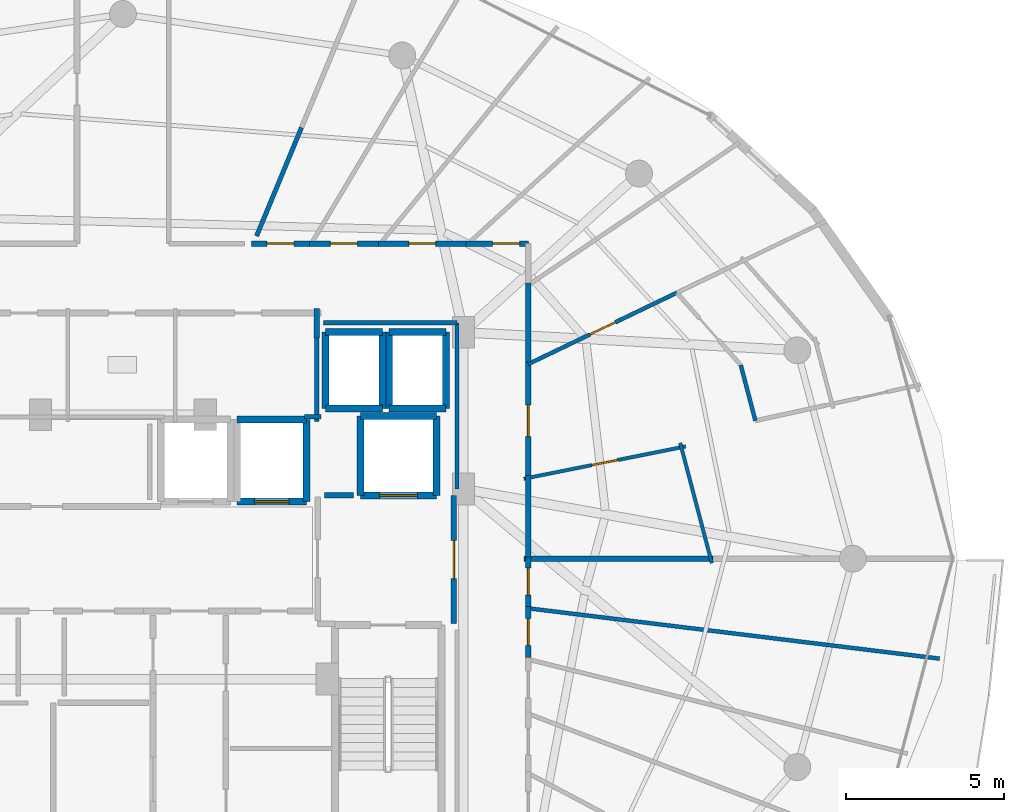
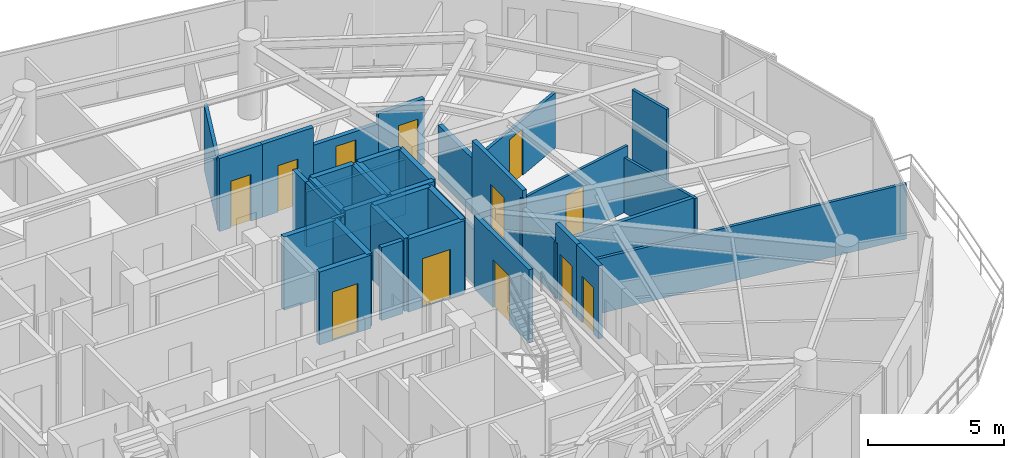
# One storey, part 24 of 29: 38 walls, 12 doors, 12 openings.
"""IFC4 building model written with IfcOpenShell, lengths in metres."""

from ifc_helpers import new_model, si_unit, direction, frame, frame_2d, origin, place, context, subcontext, project, spatial, rectangle, extrude, material, layer, layer_set, type_object, element, fill, save


model = new_model("IFC4")

# Units and contexts
model_context = context("Model", 3, precision=1e-05, world=origin(), true_north=direction((0.0, 1.0)))
body_context = subcontext(model_context, "Body", "Model", "MODEL_VIEW")
ifc_project = project(units=[si_unit("LENGTHUNIT", "METRE"), si_unit("AREAUNIT", "SQUARE_METRE"), si_unit("VOLUMEUNIT", "CUBIC_METRE"), si_unit("PLANEANGLEUNIT", "RADIAN"), si_unit("MASSUNIT", "GRAM", prefix="KILO")], contexts=[model_context])

# Site, building, storey
site_placement = place(None, origin())
site = spatial("IfcSite", under=ifc_project, at=site_placement, CompositionType="ELEMENT")
building_placement = place(site_placement, origin())
building = spatial("IfcBuilding", under=site, at=building_placement, Name="Vorneva Point Tower", CompositionType="ELEMENT")
storey_placement = place(building_placement, frame((0.0, 0.0, 255.550048828125)))
storey = spatial("IfcBuildingStorey", under=building, at=storey_placement, Name="L69", CompositionType="ELEMENT", Elevation=255.550048828125)

# Wall, opening, door
ifc_material_1 = material(Name="Concrete B60 (C50/60)", Category="concrete")
ifc_layer_1 = layer(ifc_material_1, 0.35009765625)
ifc_layer_set_1 = layer_set([ifc_layer_1], Name="Concrete B60 (C50/60)")
wall_type_1 = type_object("IfcWallType", Name="WL-CORE-350", PredefinedType="SHEAR", material=ifc_layer_set_1)
wall_1_placement = place(storey_placement, frame((45.5, 28.0, 0.0), z_axis=(0.0, 0.0, 1.0), x_axis=(1.0, 0.0, 0.0)))
wall_1 = element("IfcWall", 1, at=wall_1_placement, inside=storey, type_object=wall_type_1, Name="L69 Lift FFL2 Shaft Wall -Y", PredefinedType="SHEAR", context=body_context, shape_type="SweptSolid", body=[
    extrude(rectangle(XDim=2.39990234375, YDim=0.219970703125, at=frame_2d((1.199951171875, 0.0))), origin(), (0.0, 0.0, 1.0), 3.2900390625),
])
opening_1_placement = place(wall_1_placement, frame((0.60009765625, 0.0, 0.0)))
opening_1 = element("IfcOpeningElement", 2, at=opening_1_placement, cuts=wall_1, Name="Opening LD-02", PredefinedType="OPENING", context=body_context, shape_type="SweptSolid", body=[
    extrude(rectangle(XDim=1.199951171875, YDim=2.199951171875, at=frame_2d((0.60009765625, 1.10009765625))), frame((0.0, 0.125, 0.0), z_axis=(0.0, -1.0, 0.0), x_axis=(1.0, 0.0, 0.0)), (0.0, 0.0, 1.0), 0.249755859375),
])
ifc_material_2 = material(Name="Brushed stainless steel S304", Category="steel")
door_type_1 = type_object("IfcDoorType", Name="LD-FIRE-1200", OperationType="SLIDING_TO_LEFT", PredefinedType="DOOR", material=ifc_material_2)
door_1_placement = place(opening_1_placement, origin())
door_1 = element("IfcDoor", 3, at=door_1_placement, inside=storey, type_object=door_type_1, Name="L69 Lift FFL2 Sliding Landing Door", OperationType="SLIDING_TO_LEFT", OverallHeight=2.199951171875, OverallWidth=1.199951171875, PredefinedType="DOOR", context=body_context, shape_type="SweptSolid", body=[
    extrude(rectangle(XDim=1.199951171875, YDim=2.199951171875, at=frame_2d((0.60009765625, 1.10009765625))), frame((0.0, 0.02490234375, 0.0), z_axis=(0.0, -1.0, 0.0), x_axis=(1.0, 0.0, 0.0)), (0.0, 0.0, 1.0), 0.050048828125),
])
fill(opening_1, door_1)

# Walls
wall_2_placement = place(storey_placement, frame((47.89990234375, 28.0, 0.0), z_axis=(0.0, 0.0, 1.0), x_axis=(0.0, 1.0, 0.0)))
element("IfcWall", 4, at=wall_2_placement, inside=storey, type_object=wall_type_1, Name="L69 Lift FFL2 Shaft Wall +X", PredefinedType="SHEAR", context=body_context, shape_type="SweptSolid", body=[
    extrude(rectangle(XDim=2.5, YDim=0.219970703125, at=frame_2d((1.25, 0.0))), origin(), (0.0, 0.0, 1.0), 3.2900390625),
])
wall_3_placement = place(storey_placement, frame((47.89990234375, 30.5, 0.0), z_axis=(0.0, 0.0, 1.0), x_axis=(-1.0, 0.0, 0.0)))
element("IfcWall", 5, at=wall_3_placement, inside=storey, type_object=wall_type_1, Name="L69 Lift FFL2 Shaft Wall +Y", PredefinedType="SHEAR", context=body_context, shape_type="SweptSolid", body=[
    extrude(rectangle(XDim=2.39990234375, YDim=0.219970703125, at=frame_2d((1.199951171875, 0.0))), origin(), (0.0, 0.0, 1.0), 3.2900390625),
])
wall_4_placement = place(storey_placement, frame((45.5, 30.5, 0.0), z_axis=(0.0, 0.0, 1.0), x_axis=(0.0, -1.0, 0.0)))
element("IfcWall", 6, at=wall_4_placement, inside=storey, type_object=wall_type_1, Name="L69 Lift FFL2 Shaft Wall -X", PredefinedType="SHEAR", context=body_context, shape_type="SweptSolid", body=[
    extrude(rectangle(XDim=2.5, YDim=0.219970703125, at=frame_2d((1.25, 0.0))), origin(), (0.0, 0.0, 1.0), 3.2900390625),
])

# Wall, opening, door
ifc_material_3 = material(Name="Fire-rated acoustic gypsum stud partition", Category="gypsum")
ifc_layer_2 = layer(ifc_material_3, 0.110107421875)
ifc_layer_set_2 = layer_set([ifc_layer_2], Name="Fire-rated acoustic gypsum stud partition")
wall_type_2 = type_object("IfcWallType", Name="WL-PART-110", PredefinedType="PARTITIONING", material=ifc_layer_set_2)
wall_5_placement = place(storey_placement, frame((50.66259765625, 28.526611328125, 0.0), z_axis=(0.0, 0.0, 1.0), x_axis=(0.980652709614, 0.195755620935, 0.0)))
wall_5 = element("IfcWall", 7, at=wall_5_placement, inside=storey, type_object=wall_type_2, Name="L69 Interior Partition 126", PredefinedType="PARTITIONING", context=body_context, shape_type="SweptSolid", body=[
    extrude(rectangle(XDim=5.20947265625, YDim=0.110107421875, at=frame_2d((2.604736328125, 0.0))), origin(), (0.0, 0.0, 1.0), 2.93603515625),
])
opening_2_placement = place(wall_5_placement, frame((2.1796875, 0.0, 0.0)))
opening_2 = element("IfcOpeningElement", 8, at=opening_2_placement, cuts=wall_5, Name="Opening ID-02", PredefinedType="OPENING", context=body_context, shape_type="SweptSolid", body=[
    extrude(rectangle(XDim=0.85009765625, YDim=2.10009765625, at=frame_2d((0.425048828125, 1.050048828125))), frame((0.0, 0.06982421875, 0.0), z_axis=(0.0, -1.0, 0.0), x_axis=(1.0, 0.0, 0.0)), (0.0, 0.0, 1.0), 0.139892578125),
])
ifc_material_4 = material(Name="Engineered oak fire-rated door leaf", Category="wood")
door_type_2 = type_object("IfcDoorType", Name="DR-BATH-850", OperationType="NOTDEFINED", PredefinedType="DOOR", material=ifc_material_4)
door_2_placement = place(opening_2_placement, origin())
door_2 = element("IfcDoor", 9, at=door_2_placement, inside=storey, type_object=door_type_2, Name="L69 Door Living and Dining Room L69-04 / Bathroom L69-04", OperationType="SINGLE_SWING_LEFT", OverallHeight=2.10009765625, OverallWidth=0.85009765625, PredefinedType="DOOR", context=body_context, shape_type="SweptSolid", body=[
    extrude(rectangle(XDim=0.85009765625, YDim=2.10009765625, at=frame_2d((0.425048828125, 1.050048828125))), frame((0.0, 0.02490234375, 0.0), z_axis=(0.0, -1.0, 0.0), x_axis=(1.0, 0.0, 0.0)), (0.0, 0.0, 1.0), 0.050048828125),
])
fill(opening_2, door_2)

# Walls
wall_6_placement = place(storey_placement, frame((55.598388671875, 29.654296875, 0.0), z_axis=(0.0, 0.0, 1.0), x_axis=(0.25449329928, -0.967074537263, 0.0)))
element("IfcWall", 10, at=wall_6_placement, inside=storey, type_object=wall_type_2, Name="L69 Interior Partition 127", PredefinedType="PARTITIONING", context=body_context, shape_type="SweptSolid", body=[
    extrude(rectangle(XDim=3.9189453125, YDim=0.110107421875, at=frame_2d((1.95947265625, 0.0))), origin(), (0.0, 0.0, 1.0), 2.48193359375),
])
ifc_layer_3 = layer(ifc_material_3, 0.125)
ifc_layer_set_3 = layer_set([ifc_layer_3], Name="Fire-rated acoustic gypsum stud partition")
wall_type_3 = type_object("IfcWallType", Name="WL-PART-125", PredefinedType="PARTITIONING", material=ifc_layer_set_3)
wall_7_placement = place(storey_placement, frame((63.7880859375, 22.844970703125, 0.0), z_axis=(0.0, 0.0, 1.0), x_axis=(-0.992598006299, 0.121446275738, 0.0)))
element("IfcWall", 11, at=wall_7_placement, inside=storey, type_object=wall_type_3, Name="L69 Interior Partition 123", PredefinedType="PARTITIONING", context=body_context, shape_type="SweptSolid", body=[
    extrude(rectangle(XDim=13.0849609375, YDim=0.125, at=frame_2d((6.54248046875, 0.0))), origin(), (0.0, 0.0, 1.0), 2.48193359375),
])
wall_8_placement = place(storey_placement, frame((57.972900390625, 30.35888671875, 0.0), z_axis=(0.0, 0.0, 1.0), x_axis=(-0.254274526126, 0.967132082687, 0.0)))
element("IfcWall", 12, at=wall_8_placement, inside=storey, type_object=wall_type_3, Name="L69 Interior Partition 131", PredefinedType="PARTITIONING", context=body_context, shape_type="SweptSolid", body=[
    extrude(rectangle(XDim=1.812744140625, YDim=0.125, at=frame_2d((0.90625, 0.0))), origin(), (0.0, 0.0, 1.0), 3.2900390625),
])

# Wall, opening, door
wall_9_placement = place(storey_placement, frame((55.49169921875, 34.3994140625, 0.0), z_axis=(0.0, 0.0, 1.0), x_axis=(-0.901416162018, -0.432953695968, 0.0)))
wall_9 = element("IfcWall", 13, at=wall_9_placement, inside=storey, type_object=wall_type_3, Name="L69 Interior Partition 135", PredefinedType="PARTITIONING", context=body_context, shape_type="SweptSolid", body=[
    extrude(rectangle(XDim=5.204833984375, YDim=0.125, at=frame_2d((2.6025390625, 0.0))), origin(), (0.0, 0.0, 1.0), 2.48193359375),
])
opening_3_placement = place(wall_9_placement, frame((2.15234375, 0.0, 0.0)))
opening_3 = element("IfcOpeningElement", 14, at=opening_3_placement, cuts=wall_9, Name="Opening ID-01", PredefinedType="OPENING", context=body_context, shape_type="SweptSolid", body=[
    extrude(rectangle(XDim=0.89990234375, YDim=2.10009765625, at=frame_2d((0.449951171875, 1.050048828125))), frame((0.0, 0.077392578125, 0.0), z_axis=(0.0, -1.0, 0.0), x_axis=(1.0, 0.0, 0.0)), (0.0, 0.0, 1.0), 0.15478515625),
])
door_type_3 = type_object("IfcDoorType", Name="DR-ROOM-900", OperationType="NOTDEFINED", PredefinedType="DOOR", material=ifc_material_4)
door_3_placement = place(opening_3_placement, origin())
door_3 = element("IfcDoor", 15, at=door_3_placement, inside=storey, type_object=door_type_3, Name="L69 Door Living and Dining Room L69-04 / Master Bedroom L69-04.1", OperationType="SINGLE_SWING_LEFT", OverallHeight=2.10009765625, OverallWidth=0.89990234375, PredefinedType="DOOR", context=body_context, shape_type="SweptSolid", body=[
    extrude(rectangle(XDim=0.89990234375, YDim=2.10009765625, at=frame_2d((0.449951171875, 1.050048828125))), frame((0.0, 0.02490234375, 0.0), z_axis=(0.0, -1.0, 0.0), x_axis=(1.0, 0.0, 0.0)), (0.0, 0.0, 1.0), 0.050048828125),
])
fill(opening_3, door_3)

# Walls
ifc_layer_4 = layer(ifc_material_3, 0.139892578125)
ifc_layer_set_4 = layer_set([ifc_layer_4], Name="Fire-rated acoustic gypsum stud partition")
wall_type_4 = type_object("IfcWallType", Name="WL-PART-140", PredefinedType="PARTITIONING", material=ifc_layer_set_4)
wall_10_placement = place(storey_placement, frame((43.735107421875, 30.47998046875, 0.0), z_axis=(0.0, 0.0, 1.0), x_axis=(1.0, 0.0, 0.0)))
element("IfcWall", 16, at=wall_10_placement, inside=storey, type_object=wall_type_4, Name="L69 Interior Closure Partition 146", PredefinedType="PARTITIONING", context=body_context, shape_type="SweptSolid", body=[
    extrude(rectangle(XDim=0.52490234375, YDim=0.139892578125, at=frame_2d((0.262451171875, 0.0))), origin(), (0.0, 0.0, 1.0), 3.2900390625),
])
wall_11_placement = place(storey_placement, frame((44.1201171875, 30.340087890625, 0.0), z_axis=(0.0, 0.0, 1.0), x_axis=(0.0, 1.0, 0.0)))
element("IfcWall", 17, at=wall_11_placement, inside=storey, type_object=wall_type_4, Name="L69 Interior Closure Partition 147", PredefinedType="PARTITIONING", context=body_context, shape_type="SweptSolid", body=[
    extrude(rectangle(XDim=2.659912109375, YDim=0.139892578125, at=frame_2d((1.330078125, 0.0))), origin(), (0.0, 0.0, 1.0), 3.2900390625),
])
wall_12_placement = place(storey_placement, frame((48.550048828125, 28.196044921875, 0.0), z_axis=(0.0, 0.0, 1.0), x_axis=(0.0, 1.0, 0.0)))
element("IfcWall", 18, at=wall_12_placement, inside=storey, type_object=wall_type_4, Name="L69 Interior Closure Partition 161", PredefinedType="PARTITIONING", context=body_context, shape_type="SweptSolid", body=[
    extrude(rectangle(XDim=5.25390625, YDim=0.139892578125, at=frame_2d((2.626953125, 0.0))), origin(), (0.0, 0.0, 1.0), 2.48193359375),
])
wall_13_placement = place(storey_placement, frame((48.550048828125, 33.449951171875, 0.0), z_axis=(0.0, 0.0, 1.0), x_axis=(-1.0, 0.0, 0.0)))
element("IfcWall", 19, at=wall_13_placement, inside=storey, type_object=wall_type_4, Name="L69 Interior Closure Partition 162", PredefinedType="PARTITIONING", context=body_context, shape_type="SweptSolid", body=[
    extrude(rectangle(XDim=4.2099609375, YDim=0.139892578125, at=frame_2d((2.10498046875, 0.0))), origin(), (0.0, 0.0, 1.0), 2.48193359375),
])
wall_14_placement = place(storey_placement, frame((43.638916015625, 39.614013671875, 0.0), z_axis=(0.0, 0.0, 1.0), x_axis=(-0.38270095978, -0.923872272224, 0.0)))
element("IfcWall", 20, at=wall_14_placement, inside=storey, type_object=wall_type_4, Name="L69 Interior Closure Partition 172", PredefinedType="PARTITIONING", context=body_context, shape_type="SweptSolid", body=[
    extrude(rectangle(XDim=3.705078125, YDim=0.139892578125, at=frame_2d((1.8525390625, 0.0))), origin(), (0.0, 0.0, 1.0), 2.93603515625),
])
ifc_layer_5 = layer(ifc_material_3, 0.159912109375)
ifc_layer_set_5 = layer_set([ifc_layer_5], Name="Fire-rated acoustic gypsum stud partition")
wall_type_5 = type_object("IfcWallType", Name="WL-PART-160", PredefinedType="PARTITIONING", material=ifc_layer_set_5)
wall_15_placement = place(storey_placement, frame((56.637939453125, 26.0, 0.0), z_axis=(0.0, 0.0, 1.0), x_axis=(-1.0, 0.0, 0.0)))
element("IfcWall", 21, at=wall_15_placement, inside=storey, type_object=wall_type_5, Name="L69 Interior Partition 125", PredefinedType="PARTITIONING", context=body_context, shape_type="SweptSolid", body=[
    extrude(rectangle(XDim=5.97802734375, YDim=0.159912109375, at=frame_2d((2.989013671875, 0.0))), origin(), (0.0, 0.0, 1.0), 2.48193359375),
])

# Wall, opening, door
ifc_material_5 = material(Name="Autoclaved aerated concrete blockwork", Category="masonry")
ifc_layer_6 = layer(ifc_material_5, 0.179931640625)
ifc_layer_set_6 = layer_set([ifc_layer_6], Name="Autoclaved aerated concrete blockwork")
wall_type_6 = type_object("IfcWallType", Name="WL-PART-180", PredefinedType="PARTITIONING", material=ifc_layer_set_6)
wall_16_placement = place(storey_placement, frame((48.449951171875, 23.949951171875, 0.0), z_axis=(0.0, 0.0, 1.0), x_axis=(0.0, 1.0, 0.0)))
wall_16 = element("IfcWall", 22, at=wall_16_placement, inside=storey, type_object=wall_type_6, Name="L69 Interior Partition 005", PredefinedType="PARTITIONING", context=body_context, shape_type="SweptSolid", body=[
    extrude(rectangle(XDim=4.050048828125, YDim=0.179931640625, at=frame_2d((2.02490234375, 0.0))), origin(), (0.0, 0.0, 1.0), 3.2900390625),
])
opening_4_placement = place(wall_16_placement, frame((1.425048828125, 0.0, 0.0)))
opening_4 = element("IfcOpeningElement", 23, at=opening_4_placement, cuts=wall_16, Name="Opening FD-02", PredefinedType="OPENING", context=body_context, shape_type="SweptSolid", body=[
    extrude(rectangle(XDim=1.199951171875, YDim=2.14990234375, at=frame_2d((0.60009765625, 1.074951171875))), frame((0.0, 0.10498046875, 0.0), z_axis=(0.0, -1.0, 0.0), x_axis=(1.0, 0.0, 0.0)), (0.0, 0.0, 1.0), 0.209716796875),
])
ifc_material_6 = material(Name="Fire-rated powder-coated steel", Category="steel")
door_type_4 = type_object("IfcDoorType", Name="DR-FFL-1200", OperationType="NOTDEFINED", PredefinedType="DOOR", material=ifc_material_6)
door_4_placement = place(opening_4_placement, origin())
door_4 = element("IfcDoor", 24, at=door_4_placement, inside=storey, type_object=door_type_4, Name="L69 Door East Firefighting Lobby / L69 Circulation Corridor", OperationType="SINGLE_SWING_LEFT", OverallHeight=2.14990234375, OverallWidth=1.199951171875, PredefinedType="DOOR", context=body_context, shape_type="SweptSolid", body=[
    extrude(rectangle(XDim=1.199951171875, YDim=2.14990234375, at=frame_2d((0.60009765625, 1.074951171875))), frame((0.0, 0.02490234375, 0.0), z_axis=(0.0, -1.0, 0.0), x_axis=(1.0, 0.0, 0.0)), (0.0, 0.0, 1.0), 0.050048828125),
])
fill(opening_4, door_4)

# Wall
wall_17_placement = place(storey_placement, frame((44.1201171875, 32.969970703125, 0.0), z_axis=(0.0, 0.0, 1.0), x_axis=(0.0, 1.0, 0.0)))
element("IfcWall", 25, at=wall_17_placement, inside=storey, type_object=wall_type_6, Name="L69 Interior Partition 029", PredefinedType="PARTITIONING", context=body_context, shape_type="SweptSolid", body=[
    extrude(rectangle(XDim=0.929931640625, YDim=0.179931640625, at=frame_2d((0.46484375, 0.0))), origin(), (0.0, 0.0, 1.0), 3.2900390625),
])

# Wall, opening, door
wall_18_placement = place(storey_placement, frame((50.800048828125, 22.8798828125, 0.0), z_axis=(0.0, 0.0, 1.0), x_axis=(0.0, 1.0, 0.0)))
wall_18 = element("IfcWall", 26, at=wall_18_placement, inside=storey, type_object=wall_type_6, Name="L69 Interior Partition 055", PredefinedType="PARTITIONING", context=body_context, shape_type="SweptSolid", body=[
    extrude(rectangle(XDim=1.614013671875, YDim=0.179931640625, at=frame_2d((0.80712890625, 0.0))), origin(), (0.0, 0.0, 1.0), 3.2900390625),
])
opening_5_placement = place(wall_18_placement, frame((0.382080078125, 0.0, 0.0)))
opening_5 = element("IfcOpeningElement", 27, at=opening_5_placement, cuts=wall_18, Name="Opening ID-02", PredefinedType="OPENING", context=body_context, shape_type="SweptSolid", body=[
    extrude(rectangle(XDim=0.85009765625, YDim=2.10009765625, at=frame_2d((0.425048828125, 1.050048828125))), frame((0.0, 0.10498046875, 0.0), z_axis=(0.0, -1.0, 0.0), x_axis=(1.0, 0.0, 0.0)), (0.0, 0.0, 1.0), 0.209716796875),
])
door_5_placement = place(opening_5_placement, origin())
door_5 = element("IfcDoor", 28, at=door_5_placement, inside=storey, type_object=door_type_2, Name="L69 Access Door L69 Circulation Corridor", OperationType="SINGLE_SWING_RIGHT", OverallHeight=2.10009765625, OverallWidth=0.85009765625, PredefinedType="DOOR", context=body_context, shape_type="SweptSolid", body=[
    extrude(rectangle(XDim=0.85009765625, YDim=2.10009765625, at=frame_2d((0.425048828125, 1.050048828125))), frame((0.0, 0.02490234375, 0.0), z_axis=(0.0, -1.0, 0.0), x_axis=(1.0, 0.0, 0.0)), (0.0, 0.0, 1.0), 0.050048828125),
])
fill(opening_5, door_5)

wall_19_placement = place(storey_placement, frame((50.800048828125, 24.493896484375, 0.0), z_axis=(0.0, 0.0, 1.0), x_axis=(0.0, 1.0, 0.0)))
wall_19 = element("IfcWall", 29, at=wall_19_placement, inside=storey, type_object=wall_type_6, Name="L69 Interior Partition 056", PredefinedType="PARTITIONING", context=body_context, shape_type="SweptSolid", body=[
    extrude(rectangle(XDim=1.566162109375, YDim=0.179931640625, at=frame_2d((0.783203125, 0.0))), origin(), (0.0, 0.0, 1.0), 3.2900390625),
])
opening_6_placement = place(wall_19_placement, frame((0.35791015625, 0.0, 0.0)))
opening_6 = element("IfcOpeningElement", 30, at=opening_6_placement, cuts=wall_19, Name="Opening ID-02", PredefinedType="OPENING", context=body_context, shape_type="SweptSolid", body=[
    extrude(rectangle(XDim=0.85009765625, YDim=2.10009765625, at=frame_2d((0.425048828125, 1.050048828125))), frame((0.0, 0.10498046875, 0.0), z_axis=(0.0, -1.0, 0.0), x_axis=(1.0, 0.0, 0.0)), (0.0, 0.0, 1.0), 0.209716796875),
])
door_6_placement = place(opening_6_placement, origin())
door_6 = element("IfcDoor", 31, at=door_6_placement, inside=storey, type_object=door_type_2, Name="L69 Access Door L69 Circulation Corridor", OperationType="SINGLE_SWING_LEFT", OverallHeight=2.10009765625, OverallWidth=0.85009765625, PredefinedType="DOOR", context=body_context, shape_type="SweptSolid", body=[
    extrude(rectangle(XDim=0.85009765625, YDim=2.10009765625, at=frame_2d((0.425048828125, 1.050048828125))), frame((0.0, 0.02490234375, 0.0), z_axis=(0.0, -1.0, 0.0), x_axis=(1.0, 0.0, 0.0)), (0.0, 0.0, 1.0), 0.050048828125),
])
fill(opening_6, door_6)

wall_20_placement = place(storey_placement, frame((50.800048828125, 28.493896484375, 0.0), z_axis=(0.0, 0.0, 1.0), x_axis=(0.0, 1.0, 0.0)))
wall_20 = element("IfcWall", 32, at=wall_20_placement, inside=storey, type_object=wall_type_6, Name="L69 Interior Partition 057", PredefinedType="PARTITIONING", context=body_context, shape_type="SweptSolid", body=[
    extrude(rectangle(XDim=3.718994140625, YDim=0.179931640625, at=frame_2d((1.859375, 0.0))), origin(), (0.0, 0.0, 1.0), 3.2900390625),
])
opening_7_placement = place(wall_20_placement, frame((1.359619140625, 0.0, 0.0)))
opening_7 = element("IfcOpeningElement", 33, at=opening_7_placement, cuts=wall_20, Name="Opening UD-01", PredefinedType="OPENING", context=body_context, shape_type="SweptSolid", body=[
    extrude(rectangle(XDim=1.0, YDim=2.14990234375, at=frame_2d((0.5, 1.074951171875))), frame((0.0, 0.10498046875, 0.0), z_axis=(0.0, -1.0, 0.0), x_axis=(1.0, 0.0, 0.0)), (0.0, 0.0, 1.0), 0.209716796875),
])
door_type_5 = type_object("IfcDoorType", Name="DR-UNIT-1000", OperationType="NOTDEFINED", PredefinedType="DOOR", material=ifc_material_4)
door_7_placement = place(opening_7_placement, origin())
door_7 = element("IfcDoor", 34, at=door_7_placement, inside=storey, type_object=door_type_5, Name="L69 Door L69 Circulation Corridor / Living and Dining Room L69-04", OperationType="SINGLE_SWING_RIGHT", OverallHeight=2.14990234375, OverallWidth=1.0, PredefinedType="DOOR", context=body_context, shape_type="SweptSolid", body=[
    extrude(rectangle(XDim=1.0, YDim=2.14990234375, at=frame_2d((0.5, 1.074951171875))), frame((0.0, 0.02490234375, 0.0), z_axis=(0.0, -1.0, 0.0), x_axis=(1.0, 0.0, 0.0)), (0.0, 0.0, 1.0), 0.050048828125),
])
fill(opening_7, door_7)

# Walls
wall_21_placement = place(storey_placement, frame((50.800048828125, 25.919921875, 0.0), z_axis=(0.0, 0.0, 1.0), x_axis=(0.0, 1.0, 0.0)))
element("IfcWall", 35, at=wall_21_placement, inside=storey, type_object=wall_type_6, Name="L69 Interior Partition 058", PredefinedType="PARTITIONING", context=body_context, shape_type="SweptSolid", body=[
    extrude(rectangle(XDim=2.714111328125, YDim=0.179931640625, at=frame_2d((1.35693359375, 0.0))), origin(), (0.0, 0.0, 1.0), 2.48193359375),
])
wall_22_placement = place(storey_placement, frame((50.800048828125, 32.212890625, 0.0), z_axis=(0.0, 0.0, 1.0), x_axis=(0.0, 1.0, 0.0)))
element("IfcWall", 36, at=wall_22_placement, inside=storey, type_object=wall_type_6, Name="L69 Interior Partition 059", PredefinedType="PARTITIONING", context=body_context, shape_type="SweptSolid", body=[
    extrude(rectangle(XDim=2.4990234375, YDim=0.179931640625, at=frame_2d((1.24951171875, 0.0))), origin(), (0.0, 0.0, 1.0), 2.48193359375),
])

# Wall, opening, door
wall_23_placement = place(storey_placement, frame((50.800048828125, 35.949951171875, 0.0), z_axis=(0.0, 0.0, 1.0), x_axis=(-1.0, 0.0, 0.0)))
wall_23 = element("IfcWall", 37, at=wall_23_placement, inside=storey, type_object=wall_type_6, Name="L69 Interior Partition 061", PredefinedType="PARTITIONING", context=body_context, shape_type="SweptSolid", body=[
    extrude(rectangle(XDim=1.9599609375, YDim=0.179931640625, at=frame_2d((0.97998046875, 0.0))), origin(), (0.0, 0.0, 1.0), 2.93603515625),
])
opening_8_placement = place(wall_23_placement, frame((0.27490234375, 0.0, 0.0)))
opening_8 = element("IfcOpeningElement", 38, at=opening_8_placement, cuts=wall_23, Name="Opening ID-02", PredefinedType="OPENING", context=body_context, shape_type="SweptSolid", body=[
    extrude(rectangle(XDim=0.85009765625, YDim=2.10009765625, at=frame_2d((0.425048828125, 1.050048828125))), frame((0.0, 0.10498046875, 0.0), z_axis=(0.0, -1.0, 0.0), x_axis=(1.0, 0.0, 0.0)), (0.0, 0.0, 1.0), 0.209716796875),
])
door_8_placement = place(opening_8_placement, origin())
door_8 = element("IfcDoor", 39, at=door_8_placement, inside=storey, type_object=door_type_2, Name="L69 Access Door L69 Circulation Corridor", OperationType="SINGLE_SWING_RIGHT", OverallHeight=2.10009765625, OverallWidth=0.85009765625, PredefinedType="DOOR", context=body_context, shape_type="SweptSolid", body=[
    extrude(rectangle(XDim=0.85009765625, YDim=2.10009765625, at=frame_2d((0.425048828125, 1.050048828125))), frame((0.0, 0.02490234375, 0.0), z_axis=(0.0, -1.0, 0.0), x_axis=(1.0, 0.0, 0.0)), (0.0, 0.0, 1.0), 0.050048828125),
])
fill(opening_8, door_8)

wall_24_placement = place(storey_placement, frame((48.840087890625, 35.949951171875, 0.0), z_axis=(0.0, 0.0, 1.0), x_axis=(-1.0, 0.0, 0.0)))
wall_24 = element("IfcWall", 40, at=wall_24_placement, inside=storey, type_object=wall_type_6, Name="L69 Interior Partition 062", PredefinedType="PARTITIONING", context=body_context, shape_type="SweptSolid", body=[
    extrude(rectangle(XDim=2.773193359375, YDim=0.179931640625, at=frame_2d((1.38671875, 0.0))), origin(), (0.0, 0.0, 1.0), 2.48193359375),
])
opening_9_placement = place(wall_24_placement, frame((0.96142578125, 0.0, 0.0)))
opening_9 = element("IfcOpeningElement", 41, at=opening_9_placement, cuts=wall_24, Name="Opening ID-02", PredefinedType="OPENING", context=body_context, shape_type="SweptSolid", body=[
    extrude(rectangle(XDim=0.85009765625, YDim=2.10009765625, at=frame_2d((0.425048828125, 1.050048828125))), frame((0.0, 0.10498046875, 0.0), z_axis=(0.0, -1.0, 0.0), x_axis=(1.0, 0.0, 0.0)), (0.0, 0.0, 1.0), 0.209716796875),
])
door_9_placement = place(opening_9_placement, origin())
door_9 = element("IfcDoor", 42, at=door_9_placement, inside=storey, type_object=door_type_2, Name="L69 Access Door L69 Circulation Corridor", OperationType="SINGLE_SWING_LEFT", OverallHeight=2.10009765625, OverallWidth=0.85009765625, PredefinedType="DOOR", context=body_context, shape_type="SweptSolid", body=[
    extrude(rectangle(XDim=0.85009765625, YDim=2.10009765625, at=frame_2d((0.425048828125, 1.050048828125))), frame((0.0, 0.02490234375, 0.0), z_axis=(0.0, -1.0, 0.0), x_axis=(1.0, 0.0, 0.0)), (0.0, 0.0, 1.0), 0.050048828125),
])
fill(opening_9, door_9)

wall_25_placement = place(storey_placement, frame((46.06689453125, 35.949951171875, 0.0), z_axis=(0.0, 0.0, 1.0), x_axis=(-1.0, 0.0, 0.0)))
wall_25 = element("IfcWall", 43, at=wall_25_placement, inside=storey, type_object=wall_type_6, Name="L69 Interior Partition 063", PredefinedType="PARTITIONING", context=body_context, shape_type="SweptSolid", body=[
    extrude(rectangle(XDim=2.178955078125, YDim=0.179931640625, at=frame_2d((1.08935546875, 0.0))), origin(), (0.0, 0.0, 1.0), 3.2900390625),
])
opening_10_placement = place(wall_25_placement, frame((0.66455078125, 0.0, 0.0)))
opening_10 = element("IfcOpeningElement", 44, at=opening_10_placement, cuts=wall_25, Name="Opening ID-02", PredefinedType="OPENING", context=body_context, shape_type="SweptSolid", body=[
    extrude(rectangle(XDim=0.85009765625, YDim=2.10009765625, at=frame_2d((0.425048828125, 1.050048828125))), frame((0.0, 0.10498046875, 0.0), z_axis=(0.0, -1.0, 0.0), x_axis=(1.0, 0.0, 0.0)), (0.0, 0.0, 1.0), 0.209716796875),
])
door_10_placement = place(opening_10_placement, origin())
door_10 = element("IfcDoor", 45, at=door_10_placement, inside=storey, type_object=door_type_2, Name="L69 Access Door L69 Circulation Corridor", OperationType="SINGLE_SWING_RIGHT", OverallHeight=2.10009765625, OverallWidth=0.85009765625, PredefinedType="DOOR", context=body_context, shape_type="SweptSolid", body=[
    extrude(rectangle(XDim=0.85009765625, YDim=2.10009765625, at=frame_2d((0.425048828125, 1.050048828125))), frame((0.0, 0.02490234375, 0.0), z_axis=(0.0, -1.0, 0.0), x_axis=(1.0, 0.0, 0.0)), (0.0, 0.0, 1.0), 0.050048828125),
])
fill(opening_10, door_10)

wall_26_placement = place(storey_placement, frame((43.887939453125, 35.949951171875, 0.0), z_axis=(0.0, 0.0, 1.0), x_axis=(-1.0, 0.0, 0.0)))
wall_26 = element("IfcWall", 46, at=wall_26_placement, inside=storey, type_object=wall_type_6, Name="L69 Interior Partition 064", PredefinedType="PARTITIONING", context=body_context, shape_type="SweptSolid", body=[
    extrude(rectangle(XDim=1.826904296875, YDim=0.179931640625, at=frame_2d((0.91357421875, 0.0))), origin(), (0.0, 0.0, 1.0), 3.2900390625),
])
opening_11_placement = place(wall_26_placement, frame((0.488525390625, 0.0, 0.0)))
opening_11 = element("IfcOpeningElement", 47, at=opening_11_placement, cuts=wall_26, Name="Opening ID-02", PredefinedType="OPENING", context=body_context, shape_type="SweptSolid", body=[
    extrude(rectangle(XDim=0.85009765625, YDim=2.10009765625, at=frame_2d((0.425048828125, 1.050048828125))), frame((0.0, 0.10498046875, 0.0), z_axis=(0.0, -1.0, 0.0), x_axis=(1.0, 0.0, 0.0)), (0.0, 0.0, 1.0), 0.209716796875),
])
door_11_placement = place(opening_11_placement, origin())
door_11 = element("IfcDoor", 48, at=door_11_placement, inside=storey, type_object=door_type_2, Name="L69 Access Door L69 Circulation Corridor", OperationType="SINGLE_SWING_LEFT", OverallHeight=2.10009765625, OverallWidth=0.85009765625, PredefinedType="DOOR", context=body_context, shape_type="SweptSolid", body=[
    extrude(rectangle(XDim=0.85009765625, YDim=2.10009765625, at=frame_2d((0.425048828125, 1.050048828125))), frame((0.0, 0.02490234375, 0.0), z_axis=(0.0, -1.0, 0.0), x_axis=(1.0, 0.0, 0.0)), (0.0, 0.0, 1.0), 0.050048828125),
])
fill(opening_11, door_11)

# Wall
wall_27_placement = place(storey_placement, frame((45.280029296875, 28.0, 0.0), z_axis=(0.0, 0.0, 1.0), x_axis=(-1.0, 0.0, 0.0)))
element("IfcWall", 49, at=wall_27_placement, inside=storey, type_object=wall_type_6, Name="L69 Interior Closure Partition 144", PredefinedType="PARTITIONING", context=body_context, shape_type="SweptSolid", body=[
    extrude(rectangle(XDim=0.9150390625, YDim=0.179931640625, at=frame_2d((0.45751953125, 0.0))), origin(), (0.0, 0.0, 1.0), 3.2900390625),
])

# Wall, opening, door
ifc_material_7 = material(Name="Concrete B50 (C40/50)", Category="concrete")
ifc_layer_7 = layer(ifc_material_7, 0.219970703125)
ifc_layer_set_7 = layer_set([ifc_layer_7], Name="Concrete B50 (C40/50)")
wall_type_7 = type_object("IfcWallType", Name="WL-SHFT-220", PredefinedType="SOLIDWALL", material=ifc_layer_set_7)
wall_28_placement = place(storey_placement, frame((41.60009765625, 27.800048828125, 0.0), z_axis=(0.0, 0.0, 1.0), x_axis=(1.0, 0.0, 0.0)))
wall_28 = element("IfcWall", 50, at=wall_28_placement, inside=storey, type_object=wall_type_7, Name="L69 Lift PL8 Shaft Wall -Y", PredefinedType="SOLIDWALL", context=body_context, shape_type="SweptSolid", body=[
    extrude(rectangle(XDim=2.199951171875, YDim=0.219970703125, at=frame_2d((1.10009765625, 0.0))), origin(), (0.0, 0.0, 1.0), 3.2900390625),
])
opening_12_placement = place(wall_28_placement, frame((0.550048828125, 0.0, 0.0)))
opening_12 = element("IfcOpeningElement", 51, at=opening_12_placement, cuts=wall_28, Name="Opening LD-01", PredefinedType="OPENING", context=body_context, shape_type="SweptSolid", body=[
    extrude(rectangle(XDim=1.10009765625, YDim=2.199951171875, at=frame_2d((0.550048828125, 1.10009765625))), frame((0.0, 0.125, 0.0), z_axis=(0.0, -1.0, 0.0), x_axis=(1.0, 0.0, 0.0)), (0.0, 0.0, 1.0), 0.249755859375),
])
door_type_6 = type_object("IfcDoorType", Name="LD-PASS-1100", OperationType="SLIDING_TO_LEFT", PredefinedType="DOOR", material=ifc_material_2)
door_12_placement = place(opening_12_placement, origin())
door_12 = element("IfcDoor", 52, at=door_12_placement, inside=storey, type_object=door_type_6, Name="L69 Lift PL8 Sliding Landing Door", OperationType="SLIDING_TO_LEFT", OverallHeight=2.199951171875, OverallWidth=1.10009765625, PredefinedType="DOOR", context=body_context, shape_type="SweptSolid", body=[
    extrude(rectangle(XDim=1.10009765625, YDim=2.199951171875, at=frame_2d((0.550048828125, 1.10009765625))), frame((0.0, 0.02490234375, 0.0), z_axis=(0.0, -1.0, 0.0), x_axis=(1.0, 0.0, 0.0)), (0.0, 0.0, 1.0), 0.050048828125),
])
fill(opening_12, door_12)

# Walls
wall_29_placement = place(storey_placement, frame((43.800048828125, 27.800048828125, 0.0), z_axis=(0.0, 0.0, 1.0), x_axis=(0.0, 1.0, 0.0)))
element("IfcWall", 53, at=wall_29_placement, inside=storey, type_object=wall_type_7, Name="L69 Lift PL8 Shaft Wall +X", PredefinedType="SOLIDWALL", context=body_context, shape_type="SweptSolid", body=[
    extrude(rectangle(XDim=2.599853515625, YDim=0.219970703125, at=frame_2d((1.2998046875, 0.0))), origin(), (0.0, 0.0, 1.0), 3.2900390625),
])
wall_30_placement = place(storey_placement, frame((43.800048828125, 30.39990234375, 0.0), z_axis=(0.0, 0.0, 1.0), x_axis=(-1.0, 0.0, 0.0)))
element("IfcWall", 54, at=wall_30_placement, inside=storey, type_object=wall_type_7, Name="L69 Lift PL8 Shaft Wall +Y", PredefinedType="SOLIDWALL", context=body_context, shape_type="SweptSolid", body=[
    extrude(rectangle(XDim=2.199951171875, YDim=0.219970703125, at=frame_2d((1.10009765625, 0.0))), origin(), (0.0, 0.0, 1.0), 3.2900390625),
])
wall_31_placement = place(storey_placement, frame((44.39990234375, 30.739990234375, 0.0), z_axis=(0.0, 0.0, 1.0), x_axis=(1.0, 0.0, 0.0)))
element("IfcWall", 55, at=wall_31_placement, inside=storey, type_object=wall_type_7, Name="L69 Lift EX1 Shaft Wall -Y", PredefinedType="SOLIDWALL", context=body_context, shape_type="SweptSolid", body=[
    extrude(rectangle(XDim=1.800048828125, YDim=0.219970703125, at=frame_2d((0.89990234375, 0.0))), origin(), (0.0, 0.0, 1.0), 3.2900390625),
])
wall_32_placement = place(storey_placement, frame((46.199951171875, 30.739990234375, 0.0), z_axis=(0.0, 0.0, 1.0), x_axis=(0.0, 1.0, 0.0)))
element("IfcWall", 56, at=wall_32_placement, inside=storey, type_object=wall_type_7, Name="L69 Lift EX1 Shaft Wall +X", PredefinedType="SOLIDWALL", context=body_context, shape_type="SweptSolid", body=[
    extrude(rectangle(XDim=2.419921875, YDim=0.219970703125, at=frame_2d((1.2099609375, 0.0))), origin(), (0.0, 0.0, 1.0), 3.2900390625),
])
wall_33_placement = place(storey_placement, frame((46.199951171875, 33.159912109375, 0.0), z_axis=(0.0, 0.0, 1.0), x_axis=(-1.0, 0.0, 0.0)))
element("IfcWall", 57, at=wall_33_placement, inside=storey, type_object=wall_type_7, Name="L69 Lift EX1 Shaft Wall +Y", PredefinedType="SOLIDWALL", context=body_context, shape_type="SweptSolid", body=[
    extrude(rectangle(XDim=1.800048828125, YDim=0.219970703125, at=frame_2d((0.89990234375, 0.0))), origin(), (0.0, 0.0, 1.0), 3.2900390625),
])
wall_34_placement = place(storey_placement, frame((44.39990234375, 33.159912109375, 0.0), z_axis=(0.0, 0.0, 1.0), x_axis=(0.0, -1.0, 0.0)))
element("IfcWall", 58, at=wall_34_placement, inside=storey, type_object=wall_type_7, Name="L69 Lift EX1 Shaft Wall -X", PredefinedType="SOLIDWALL", context=body_context, shape_type="SweptSolid", body=[
    extrude(rectangle(XDim=2.419921875, YDim=0.219970703125, at=frame_2d((1.2099609375, 0.0))), origin(), (0.0, 0.0, 1.0), 3.2900390625),
])
wall_35_placement = place(storey_placement, frame((46.39990234375, 30.739990234375, 0.0), z_axis=(0.0, 0.0, 1.0), x_axis=(1.0, 0.0, 0.0)))
element("IfcWall", 59, at=wall_35_placement, inside=storey, type_object=wall_type_7, Name="L69 Lift EX2 Shaft Wall -Y", PredefinedType="SOLIDWALL", context=body_context, shape_type="SweptSolid", body=[
    extrude(rectangle(XDim=1.800048828125, YDim=0.219970703125, at=frame_2d((0.89990234375, 0.0))), origin(), (0.0, 0.0, 1.0), 3.2900390625),
])
wall_36_placement = place(storey_placement, frame((48.199951171875, 30.739990234375, 0.0), z_axis=(0.0, 0.0, 1.0), x_axis=(0.0, 1.0, 0.0)))
element("IfcWall", 60, at=wall_36_placement, inside=storey, type_object=wall_type_7, Name="L69 Lift EX2 Shaft Wall +X", PredefinedType="SOLIDWALL", context=body_context, shape_type="SweptSolid", body=[
    extrude(rectangle(XDim=2.419921875, YDim=0.219970703125, at=frame_2d((1.2099609375, 0.0))), origin(), (0.0, 0.0, 1.0), 3.2900390625),
])
wall_37_placement = place(storey_placement, frame((48.199951171875, 33.159912109375, 0.0), z_axis=(0.0, 0.0, 1.0), x_axis=(-1.0, 0.0, 0.0)))
element("IfcWall", 61, at=wall_37_placement, inside=storey, type_object=wall_type_7, Name="L69 Lift EX2 Shaft Wall +Y", PredefinedType="SOLIDWALL", context=body_context, shape_type="SweptSolid", body=[
    extrude(rectangle(XDim=1.800048828125, YDim=0.219970703125, at=frame_2d((0.89990234375, 0.0))), origin(), (0.0, 0.0, 1.0), 3.2900390625),
])
wall_38_placement = place(storey_placement, frame((46.39990234375, 33.159912109375, 0.0), z_axis=(0.0, 0.0, 1.0), x_axis=(0.0, -1.0, 0.0)))
element("IfcWall", 62, at=wall_38_placement, inside=storey, type_object=wall_type_7, Name="L69 Lift EX2 Shaft Wall -X", PredefinedType="SOLIDWALL", context=body_context, shape_type="SweptSolid", body=[
    extrude(rectangle(XDim=2.419921875, YDim=0.219970703125, at=frame_2d((1.2099609375, 0.0))), origin(), (0.0, 0.0, 1.0), 3.2900390625),
])

save(model, "model.ifc")
